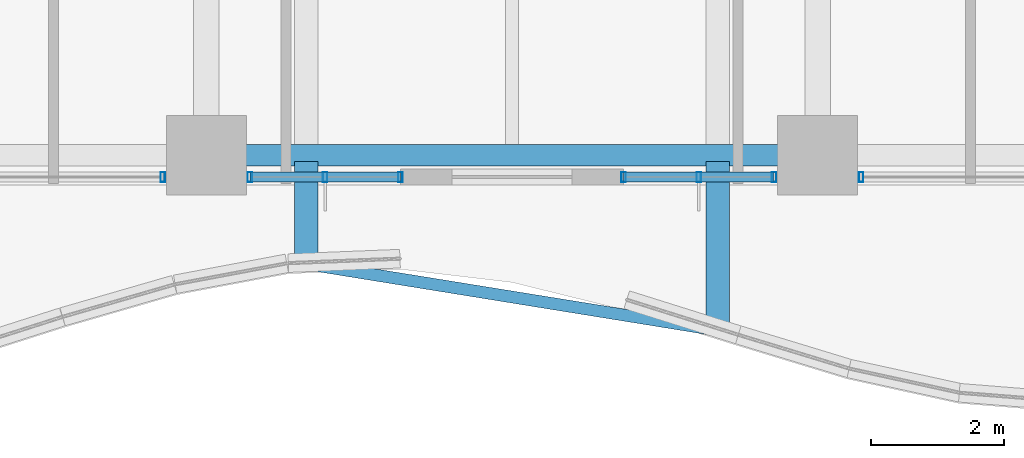
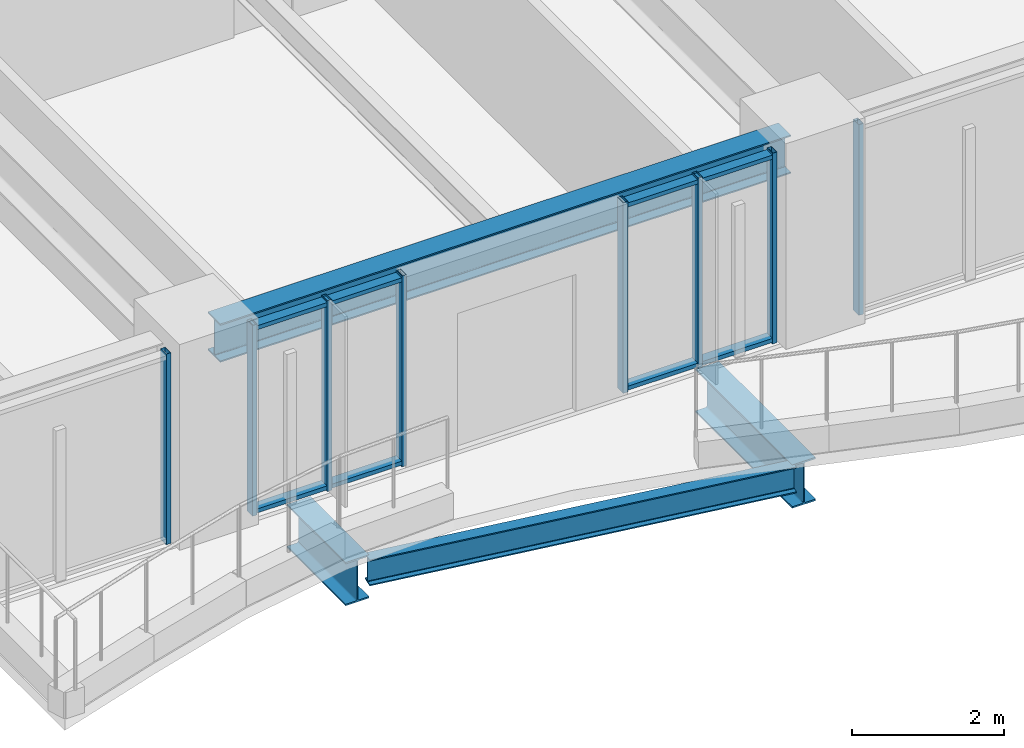
# One storey, part 5 of 38: 12 members, 4 beams, 4 elements without a shape of their own.
"""IFC4 building model written with IfcOpenShell, lengths in metres."""

import ifcopenshell
import ifcopenshell.guid

model = None  # the IFC model being written
_history = None  # IfcOwnerHistory: only IFC2X3 demands one
_inside = {}  # id of a spatial element -> (the spatial element, [elements in it])
_under = {}  # id of a project, library or spatial element -> (it, [spatial elements below it])
_declared = {}  # id of a project -> (the project, [libraries it declares])
_typed = {}  # id of a type object -> (the type object, [elements of that type])
_made_of = {}  # id of a material, layer set ... -> (it, [elements and type objects made of it])


def new_model(schema):
    """Start an empty IFC model of exactly this schema.

    Asked for "IFC4X3", IfcOpenShell would pick the latest addendum, in which some entities
    have other attributes; the version numbers below select the first issue.
    IFC2X3 requires an IfcOwnerHistory on every rooted entity: one is made here for all.
    """
    global model, _history
    if schema == "IFC4X3":
        model = ifcopenshell.file(schema_version=(4, 3, 0, 0))
    else:
        model = ifcopenshell.file(schema=schema)
    _inside.clear()
    _under.clear()
    _declared.clear()
    _typed.clear()
    _made_of.clear()
    _history = None
    if model.schema == "IFC2X3":
        org = make("IfcOrganization", Name="unknown")
        user = make(
            "IfcPersonAndOrganization",
            ThePerson=make("IfcPerson", FamilyName="unknown"),
            TheOrganization=org,
        )
        app = make(
            "IfcApplication",
            ApplicationDeveloper=org,
            Version="unknown",
            ApplicationFullName="unknown",
            ApplicationIdentifier="unknown",
        )
        _history = make(
            "IfcOwnerHistory",
            OwningUser=user,
            OwningApplication=app,
            ChangeAction="ADDED",
            CreationDate=0,
        )
    return model


def make(cls, **values):
    """One entity of the class cls with the attributes given. An attribute that is None is left unset."""
    return model.create_entity(
        cls, **{name: value for name, value in values.items() if value is not None}
    )


def rooted(cls, **values):
    """An entity with a GlobalId (a new one), such as an element, a storey or a relation."""
    return make(cls, GlobalId=ifcopenshell.guid.new(), OwnerHistory=_history, **values)


def si_unit(unit_type, name, prefix=None):
    """IfcSIUnit, for example si_unit("LENGTHUNIT", "METRE", prefix="MILLI")."""
    return make("IfcSIUnit", UnitType=unit_type, Prefix=prefix, Name=name)


def assignment(units):
    """IfcUnitAssignment: the units of a project."""
    return None if units is None else make("IfcUnitAssignment", Units=units)


def point(xyz):
    """IfcCartesianPoint."""
    return None if xyz is None else make("IfcCartesianPoint", Coordinates=xyz)


def direction(xyz):
    """IfcDirection."""
    return None if xyz is None else make("IfcDirection", DirectionRatios=xyz)


def frame(location, z_axis=None, x_axis=None):
    """IfcAxis2Placement3D, a coordinate frame: its origin and axes. An axis left out is left unset."""
    return make(
        "IfcAxis2Placement3D",
        Location=point(location),
        Axis=direction(z_axis),
        RefDirection=direction(x_axis),
    )


def frame_2d(location, x_axis=None):
    """IfcAxis2Placement2D, a coordinate frame in the plane: its origin and x axis."""
    return make(
        "IfcAxis2Placement2D", Location=point(location), RefDirection=direction(x_axis)
    )


def origin():
    """The frame at (0, 0, 0) with its axes left unset."""
    return frame((0.0, 0.0, 0.0))


def origin_2d():
    """The frame at (0, 0) in the plane with its x axis left unset."""
    return frame_2d((0.0, 0.0))


def place(relative_to, where):
    """IfcLocalPlacement: puts the frame where relative to a parent placement (None: the world)."""
    return make(
        "IfcLocalPlacement", PlacementRelTo=relative_to, RelativePlacement=where
    )


def context(
    kind, dimensions, precision=None, world=None, true_north=None, identifier=None
):
    """IfcGeometricRepresentationContext, for example the 3D "Model" context."""
    return make(
        "IfcGeometricRepresentationContext",
        ContextIdentifier=identifier,
        ContextType=kind,
        CoordinateSpaceDimension=dimensions,
        Precision=precision,
        WorldCoordinateSystem=world,
        TrueNorth=true_north,
    )


def subcontext(parent, identifier, kind, view, scale=None):
    """IfcGeometricRepresentationSubContext, for example "Body" below "Model"."""
    return make(
        "IfcGeometricRepresentationSubContext",
        ContextIdentifier=identifier,
        ContextType=kind,
        ParentContext=parent,
        TargetScale=scale,
        TargetView=view,
    )


def project(units=None, contexts=None):
    """IfcProject with its units and contexts."""
    return rooted(
        "IfcProject",
        Name="project",
        RepresentationContexts=contexts,
        UnitsInContext=assignment(units),
    )


def spatial(cls, under=None, at=None, **own):
    """A site, building, storey or space (cls), placed at a placement, below another one or the project."""
    s = rooted(cls, ObjectPlacement=at, **own)
    if under is not None:
        _under.setdefault(under.id(), (under, []))[1].append(s)
    return s


def profile(cls, at=None, kind="AREA", **sizes):
    """A parametric profile (cls). Its sizes go by their IFC names, for example OverallWidth=200.0."""
    return make(cls, ProfileType=kind, Position=at, **sizes)


def hollow_rectangle(**sizes):
    """IfcRectangleHollowProfileDef."""
    return profile("IfcRectangleHollowProfileDef", **sizes)


def i_section(**sizes):
    """IfcIShapeProfileDef."""
    return profile("IfcIShapeProfileDef", **sizes)


def extrude(swept, where, along, depth):
    """IfcExtrudedAreaSolid: the profile swept, set in the frame where, extruded along a direction by depth."""
    return make(
        "IfcExtrudedAreaSolid",
        SweptArea=swept,
        Position=where,
        ExtrudedDirection=direction(along),
        Depth=depth,
    )


def shape(context_of_items, identifier, shape_type, items):
    """IfcShapeRepresentation: the items that make up one representation, for example the "Body"."""
    return make(
        "IfcShapeRepresentation",
        ContextOfItems=context_of_items,
        RepresentationIdentifier=identifier,
        RepresentationType=shape_type,
        Items=items,
    )


def material(Name=None, Category=None):
    """IfcMaterial."""
    return make("IfcMaterial", Name=Name, Category=Category)


def material_profile(
    of_material, cross_section, Name=None, Category=None, Priority=None
):
    """IfcMaterialProfile: a cross section and its material."""
    return make(
        "IfcMaterialProfile",
        Name=Name,
        Material=of_material,
        Profile=cross_section,
        Priority=Priority,
        Category=Category,
    )


def profile_set(profiles, Name=None, composite=None):
    """IfcMaterialProfileSet."""
    return make(
        "IfcMaterialProfileSet",
        Name=Name,
        MaterialProfiles=profiles,
        CompositeProfile=composite,
    )


def made_of(thing, what):
    """Note that an element or type object is made of a material, layer set ...; save() writes the relation."""
    if what is not None:
        _made_of.setdefault(what.id(), (what, []))[1].append(thing)
    return thing


def type_object(cls, material=None, **own):
    """A type object (cls), such as IfcWallType, which elements share."""
    return made_of(rooted(cls, **own), material)


def element(
    cls,
    number,
    at=None,
    inside=None,
    cuts=None,
    type_object=None,
    material=None,
    context=None,
    identifier="Body",
    shape_type=None,
    held_by="IfcProductDefinitionShape",
    body=None,
    shapes=None,
    **own,
):
    """One element of the class cls, such as IfcWall. Its Tag is "e" and its number.

    at: its placement. inside: the storey or other place that contains it. cuts: it is an
    opening in that element (IfcRelVoidsElement). A single representation is given by context,
    identifier, shape_type and body (its items); several are given by shapes. held_by: the class
    of the entity that holds the representations. save() writes the other relations.
    """
    e = rooted(cls, Tag="e%d" % number, ObjectPlacement=at, **own)
    if body is not None:
        shapes = [shape(context, identifier, shape_type, body)]
    if shapes is not None:
        e.Representation = make(held_by, Representations=shapes)
    if inside is not None:
        _inside.setdefault(inside.id(), (inside, []))[1].append(e)
    if cuts is not None:
        rooted(
            "IfcRelVoidsElement", RelatingBuildingElement=cuts, RelatedOpeningElement=e
        )
    if type_object is not None:
        _typed.setdefault(type_object.id(), (type_object, []))[1].append(e)
    return made_of(e, material)


def aggregate(whole, parts):
    """IfcRelAggregates: a whole, such as a stair, and the parts it consists of."""
    return rooted("IfcRelAggregates", RelatingObject=whole, RelatedObjects=parts)


def save(model, path):
    """Write the relations noted so far, then the file.

    IfcRelAggregates (storeys below a building ...), IfcRelContainedInSpatialStructure (elements
    in a storey), IfcRelDefinesByType, IfcRelAssociatesMaterial and IfcRelDeclares: one each for
    every whole, place, type object, material and project.
    """
    for whole, parts in _under.values():
        aggregate(whole, parts)
    for where, things in _inside.values():
        rooted(
            "IfcRelContainedInSpatialStructure",
            RelatedElements=things,
            RelatingStructure=where,
        )
    for kind, things in _typed.values():
        rooted("IfcRelDefinesByType", RelatedObjects=things, RelatingType=kind)
    for what, things in _made_of.values():
        rooted("IfcRelAssociatesMaterial", RelatedObjects=things, RelatingMaterial=what)
    for by, libraries in _declared.values():
        rooted("IfcRelDeclares", RelatingContext=by, RelatedDefinitions=libraries)
    model.write(path)


model = new_model("IFC4")

# Units and contexts
model_context = context("Model", 3, precision=1e-05, world=origin(), true_north=direction((0.0, 1.0)))
body_context = subcontext(model_context, "Body", "Model", "MODEL_VIEW")
ifc_project = project(units=[si_unit("LENGTHUNIT", "METRE"), si_unit("AREAUNIT", "SQUARE_METRE"), si_unit("VOLUMEUNIT", "CUBIC_METRE"), si_unit("PLANEANGLEUNIT", "RADIAN"), si_unit("MASSUNIT", "GRAM", prefix="KILO")], contexts=[model_context])

# Site, building, storey
site_placement = place(None, origin())
site = spatial("IfcSite", under=ifc_project, at=site_placement, CompositionType="ELEMENT")
building_placement = place(site_placement, origin())
building = spatial("IfcBuilding", under=site, at=building_placement, Name="Kolvaren Belvedere", CompositionType="ELEMENT")
storey_placement = place(building_placement, frame((0.0, 0.0, 30.39990234375)))
storey = spatial("IfcBuildingStorey", under=building, at=storey_placement, Name="L08", CompositionType="ELEMENT", Elevation=30.39990234375)

# Beams
ifc_material_1 = material(Name="Structural steel ASTM A992 Grade 50", Category="steel")
ifc_material_profile_1 = material_profile(ifc_material_1, i_section(OverallWidth=0.35498046875, OverallDepth=0.696044921875, WebThickness=0.015380859375, FlangeThickness=0.02490234375, FilletRadius=0.02197265625, at=origin_2d()), Name="W27X146")
ifc_profile_set_1 = profile_set([ifc_material_profile_1], Name="Structural steel ASTM A992 Grade 50")
beam_type_1 = type_object("IfcBeamType", Name="BM-CANT-BAL", PredefinedType="BEAM", material=ifc_profile_set_1)
beam_1_placement = place(storey_placement, frame((-3.10009765625, -21.64501953125, -0.587890625), z_axis=(0.0, -1.0, 0.0), x_axis=(1.0, 0.0, 0.0)))
element("IfcBeam", 1, at=beam_1_placement, inside=storey, type_object=beam_type_1, Name="L08 Planted Balcony Cantilever BAL-S-1", PredefinedType="BEAM", context=body_context, shape_type="SweptSolid", body=[
    extrude(i_section(OverallWidth=0.35498046875, OverallDepth=0.696044921875, WebThickness=0.015380859375, FlangeThickness=0.02490234375, FilletRadius=0.02197265625, at=origin_2d()), origin(), (0.0, 0.0, 1.0), 1.540283203125),
])
beam_2_placement = place(storey_placement, frame((3.10009765625, -21.64501953125, -0.587890625), z_axis=(0.0, -1.0, 0.0), x_axis=(1.0, 0.0, 0.0)))
element("IfcBeam", 2, at=beam_2_placement, inside=storey, type_object=beam_type_1, Name="L08 Planted Balcony Cantilever BAL-S-2", PredefinedType="BEAM", context=body_context, shape_type="SweptSolid", body=[
    extrude(i_section(OverallWidth=0.35498046875, OverallDepth=0.696044921875, WebThickness=0.015380859375, FlangeThickness=0.02490234375, FilletRadius=0.02197265625, at=origin_2d()), origin(), (0.0, 0.0, 1.0), 2.541259765625),
])
ifc_material_2 = material(Name="Structural steel ASTM A992 Grade 50", Category="steel")
ifc_material_profile_2 = material_profile(ifc_material_2, i_section(OverallWidth=0.180908203125, OverallDepth=0.4169921875, WebThickness=0.010986328125, FlangeThickness=0.018310546875, FilletRadius=0.013916015625, at=origin_2d()), Name="W16X57")
ifc_profile_set_2 = profile_set([ifc_material_profile_2], Name="Structural steel ASTM A992 Grade 50")
beam_type_2 = type_object("IfcBeamType", Name="BM-EDGE-W16X57", PredefinedType="BEAM", material=ifc_profile_set_2)
beam_3_placement = place(storey_placement, frame((-2.9619140625, -23.207763671875, -0.448486328125), z_axis=(0.9872254354, -0.159329657312, 0.0), x_axis=(0.159329657312, 0.9872254354, 0.0)))
element("IfcBeam", 3, at=beam_3_placement, inside=storey, type_object=beam_type_2, Name="L08 Balcony Tip Header Beam BAL-S", PredefinedType="BEAM", context=body_context, shape_type="SweptSolid", body=[
    extrude(i_section(OverallWidth=0.180908203125, OverallDepth=0.4169921875, WebThickness=0.010986328125, FlangeThickness=0.018310546875, FilletRadius=0.013916015625, at=origin_2d()), origin(), (0.0, 0.0, 1.0), 6.00048828125),
])
ifc_material_3 = material(Name="Structural steel ASTM A992 Grade 50", Category="steel")
ifc_material_profile_3 = material_profile(ifc_material_3, i_section(OverallWidth=0.324951171875, OverallDepth=0.615966796875, WebThickness=0.013916015625, FlangeThickness=0.021484375, FilletRadius=0.02001953125, at=origin_2d()), Name="W24X117")
ifc_profile_set_3 = profile_set([ifc_material_profile_3], Name="Structural steel ASTM A992 Grade 50")
beam_type_3 = type_object("IfcBeamType", Name="BM-SPAN-W24X117", PredefinedType="SPANDREL", material=ifc_profile_set_3)
beam_4_placement = place(storey_placement, frame((-4.330078125, -21.550048828125, 2.752197265625), z_axis=(1.0, 0.0, 0.0), x_axis=(0.0, 1.0, 0.0)))
element("IfcBeam", 4, at=beam_4_placement, inside=storey, type_object=beam_type_3, Name="L08 Perimeter Spandrel S2-S3", PredefinedType="SPANDREL", context=body_context, shape_type="SweptSolid", body=[
    extrude(i_section(OverallWidth=0.324951171875, OverallDepth=0.615966796875, WebThickness=0.013916015625, FlangeThickness=0.021484375, FilletRadius=0.02001953125, at=origin_2d()), origin(), (0.0, 0.0, 1.0), 8.66015625),
])

# Curtain wall, member
ifc_material_4 = material(Name="Anodised pale-metal aluminium AA 6063-T6", Category="aluminium")
curtain_wall_type = type_object("IfcCurtainWallType", Name="CW-Z1-LOW", PredefinedType="NOTDEFINED", material=ifc_material_4)
curtain_wall_1_placement = place(storey_placement, origin())
curtain_wall_1 = element("IfcCurtainWall", 5, at=curtain_wall_1_placement, inside=storey, type_object=curtain_wall_type, Name="L08 Unitised Curtain Wall FCW-L08-S1-B1", PredefinedType="NOTDEFINED")
ifc_material_5 = material(Name="Anodised pale-metal aluminium AA 6063-T6", Category="aluminium")
ifc_material_profile_4 = material_profile(ifc_material_5, hollow_rectangle(XDim=0.070068359375, YDim=0.14990234375, WallThickness=0.004150390625, at=origin_2d()), Name="ALU-MUL-150X70")
ifc_profile_set_4 = profile_set([ifc_material_profile_4], Name="Anodised pale-metal aluminium AA 6063-T6")
member_type_1 = type_object("IfcMemberType", Name="CW-MUL-150", PredefinedType="MULLION", material=ifc_profile_set_4)
member_1_placement = place(storey_placement, frame((5.2548828125, -21.8798828125, 0.0), z_axis=(0.0, 0.0, 1.0), x_axis=(1.0, 0.0, 0.0)))
member_1 = element("IfcMember", 6, at=member_1_placement, type_object=member_type_1, Name="FCW-L08-S1-B1 Unitised Mullion 3", PredefinedType="MULLION", context=body_context, shape_type="SweptSolid", body=[
    extrude(hollow_rectangle(XDim=0.070068359375, YDim=0.14990234375, WallThickness=0.004150390625, at=origin_2d()), origin(), (0.0, 0.0, 1.0), 3.06005859375),
])
aggregate(curtain_wall_1, [member_1])

# Curtain wall, members
curtain_wall_2_placement = place(storey_placement, origin())
curtain_wall_2 = element("IfcCurtainWall", 7, at=curtain_wall_2_placement, inside=storey, type_object=curtain_wall_type, Name="L08 Unitised Curtain Wall FCW-L08-S1-B2", PredefinedType="NOTDEFINED")
member_2_placement = place(storey_placement, frame((3.945068359375, -21.8798828125, 0.0), z_axis=(0.0, 0.0, 1.0), x_axis=(1.0, 0.0, 0.0)))
member_2 = element("IfcMember", 8, at=member_2_placement, type_object=member_type_1, Name="FCW-L08-S1-B2 Unitised Mullion 1", PredefinedType="MULLION", context=body_context, shape_type="SweptSolid", body=[
    extrude(hollow_rectangle(XDim=0.070068359375, YDim=0.14990234375, WallThickness=0.004150390625, at=origin_2d()), origin(), (0.0, 0.0, 1.0), 3.06005859375),
])
member_3_placement = place(storey_placement, frame((2.8125, -21.8798828125, 0.0), z_axis=(0.0, 0.0, 1.0), x_axis=(1.0, 0.0, 0.0)))
member_3 = element("IfcMember", 9, at=member_3_placement, type_object=member_type_1, Name="FCW-L08-S1-B2 Unitised Mullion 2", PredefinedType="MULLION", context=body_context, shape_type="SweptSolid", body=[
    extrude(hollow_rectangle(XDim=0.070068359375, YDim=0.14990234375, WallThickness=0.004150390625, at=origin_2d()), origin(), (0.0, 0.0, 1.0), 3.06005859375),
])
member_4_placement = place(storey_placement, frame((1.679931640625, -21.8798828125, 0.0), z_axis=(0.0, 0.0, 1.0), x_axis=(1.0, 0.0, 0.0)))
member_4 = element("IfcMember", 10, at=member_4_placement, type_object=member_type_1, Name="FCW-L08-S1-B2 Unitised Mullion 3", PredefinedType="MULLION", context=body_context, shape_type="SweptSolid", body=[
    extrude(hollow_rectangle(XDim=0.070068359375, YDim=0.14990234375, WallThickness=0.004150390625, at=origin_2d()), origin(), (0.0, 0.0, 1.0), 3.06005859375),
])

curtain_wall_3_placement = place(storey_placement, origin())
curtain_wall_3 = element("IfcCurtainWall", 11, at=curtain_wall_3_placement, inside=storey, type_object=curtain_wall_type, Name="L08 Unitised Curtain Wall FCW-L08-S2-B1", PredefinedType="NOTDEFINED")
member_5_placement = place(storey_placement, frame((-1.679931640625, -21.8798828125, 0.0), z_axis=(0.0, 0.0, 1.0), x_axis=(1.0, 0.0, 0.0)))
member_5 = element("IfcMember", 12, at=member_5_placement, type_object=member_type_1, Name="FCW-L08-S2-B1 Unitised Mullion 1", PredefinedType="MULLION", context=body_context, shape_type="SweptSolid", body=[
    extrude(hollow_rectangle(XDim=0.070068359375, YDim=0.14990234375, WallThickness=0.004150390625, at=origin_2d()), origin(), (0.0, 0.0, 1.0), 3.06005859375),
])
member_6_placement = place(storey_placement, frame((-2.8125, -21.8798828125, 0.0), z_axis=(0.0, 0.0, 1.0), x_axis=(1.0, 0.0, 0.0)))
member_6 = element("IfcMember", 13, at=member_6_placement, type_object=member_type_1, Name="FCW-L08-S2-B1 Unitised Mullion 2", PredefinedType="MULLION", context=body_context, shape_type="SweptSolid", body=[
    extrude(hollow_rectangle(XDim=0.070068359375, YDim=0.14990234375, WallThickness=0.004150390625, at=origin_2d()), origin(), (0.0, 0.0, 1.0), 3.06005859375),
])
member_7_placement = place(storey_placement, frame((-3.945068359375, -21.8798828125, 0.0), z_axis=(0.0, 0.0, 1.0), x_axis=(1.0, 0.0, 0.0)))
member_7 = element("IfcMember", 14, at=member_7_placement, type_object=member_type_1, Name="FCW-L08-S2-B1 Unitised Mullion 3", PredefinedType="MULLION", context=body_context, shape_type="SweptSolid", body=[
    extrude(hollow_rectangle(XDim=0.070068359375, YDim=0.14990234375, WallThickness=0.004150390625, at=origin_2d()), origin(), (0.0, 0.0, 1.0), 3.06005859375),
])

# Curtain wall, member
curtain_wall_4_placement = place(storey_placement, origin())
curtain_wall_4 = element("IfcCurtainWall", 15, at=curtain_wall_4_placement, inside=storey, type_object=curtain_wall_type, Name="L08 Unitised Curtain Wall FCW-L08-S2-B2", PredefinedType="NOTDEFINED")
member_8_placement = place(storey_placement, frame((-5.2548828125, -21.8798828125, 0.0), z_axis=(0.0, 0.0, 1.0), x_axis=(1.0, 0.0, 0.0)))
member_8 = element("IfcMember", 16, at=member_8_placement, type_object=member_type_1, Name="FCW-L08-S2-B2 Unitised Mullion 1", PredefinedType="MULLION", context=body_context, shape_type="SweptSolid", body=[
    extrude(hollow_rectangle(XDim=0.070068359375, YDim=0.14990234375, WallThickness=0.004150390625, at=origin_2d()), origin(), (0.0, 0.0, 1.0), 3.06005859375),
])
aggregate(curtain_wall_4, [member_8])

# Member
ifc_material_6 = material(Name="Anodised pale-metal aluminium AA 6063-T6", Category="aluminium")
ifc_material_profile_5 = material_profile(ifc_material_6, hollow_rectangle(XDim=0.06494140625, YDim=0.14990234375, WallThickness=0.00390625, at=origin_2d()), Name="ALU-TRN-150X65")
ifc_profile_set_5 = profile_set([ifc_material_profile_5], Name="Anodised pale-metal aluminium AA 6063-T6")
member_type_2 = type_object("IfcMemberType", Name="CW-TRN-150", PredefinedType="USERDEFINED", material=ifc_profile_set_5)
member_9_placement = place(storey_placement, frame((3.945068359375, -21.8798828125, 0.06005859375), z_axis=(-1.0, 0.0, 0.0), x_axis=(0.0, 0.0, 1.0)))
member_9 = element("IfcMember", 17, at=member_9_placement, type_object=member_type_2, Name="FCW-L08-S1-B2 Sill Transom", ObjectType="TRANSOM", PredefinedType="USERDEFINED", context=body_context, shape_type="SweptSolid", body=[
    extrude(hollow_rectangle(XDim=0.06494140625, YDim=0.14990234375, WallThickness=0.00390625, at=origin_2d()), origin(), (0.0, 0.0, 1.0), 2.26513671875),
])

member_10_placement = place(storey_placement, frame((3.945068359375, -21.8798828125, 3.0), z_axis=(-1.0, 0.0, 0.0), x_axis=(0.0, 0.0, 1.0)))
member_10 = element("IfcMember", 18, at=member_10_placement, type_object=member_type_2, Name="FCW-L08-S1-B2 Head Transom", ObjectType="TRANSOM", PredefinedType="USERDEFINED", context=body_context, shape_type="SweptSolid", body=[
    extrude(hollow_rectangle(XDim=0.06494140625, YDim=0.14990234375, WallThickness=0.00390625, at=origin_2d()), origin(), (0.0, 0.0, 1.0), 2.26513671875),
])

aggregate(curtain_wall_2, [member_2, member_3, member_4, member_9, member_10])

member_11_placement = place(storey_placement, frame((-1.679931640625, -21.8798828125, 0.06005859375), z_axis=(-1.0, 0.0, 0.0), x_axis=(0.0, 0.0, 1.0)))
member_11 = element("IfcMember", 19, at=member_11_placement, type_object=member_type_2, Name="FCW-L08-S2-B1 Sill Transom", ObjectType="TRANSOM", PredefinedType="USERDEFINED", context=body_context, shape_type="SweptSolid", body=[
    extrude(hollow_rectangle(XDim=0.06494140625, YDim=0.14990234375, WallThickness=0.00390625, at=origin_2d()), origin(), (0.0, 0.0, 1.0), 2.26513671875),
])

member_12_placement = place(storey_placement, frame((-1.679931640625, -21.8798828125, 3.0), z_axis=(-1.0, 0.0, 0.0), x_axis=(0.0, 0.0, 1.0)))
member_12 = element("IfcMember", 20, at=member_12_placement, type_object=member_type_2, Name="FCW-L08-S2-B1 Head Transom", ObjectType="TRANSOM", PredefinedType="USERDEFINED", context=body_context, shape_type="SweptSolid", body=[
    extrude(hollow_rectangle(XDim=0.06494140625, YDim=0.14990234375, WallThickness=0.00390625, at=origin_2d()), origin(), (0.0, 0.0, 1.0), 2.26513671875),
])

aggregate(curtain_wall_3, [member_5, member_6, member_7, member_11, member_12])

save(model, "model.ifc")
